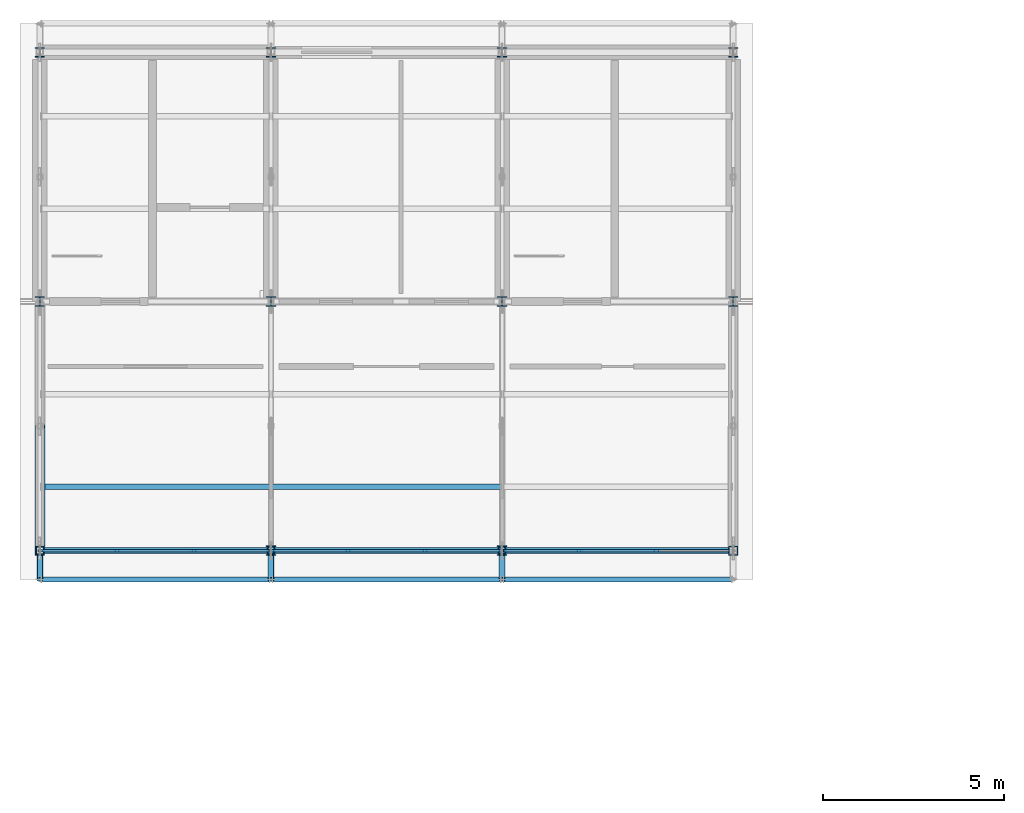
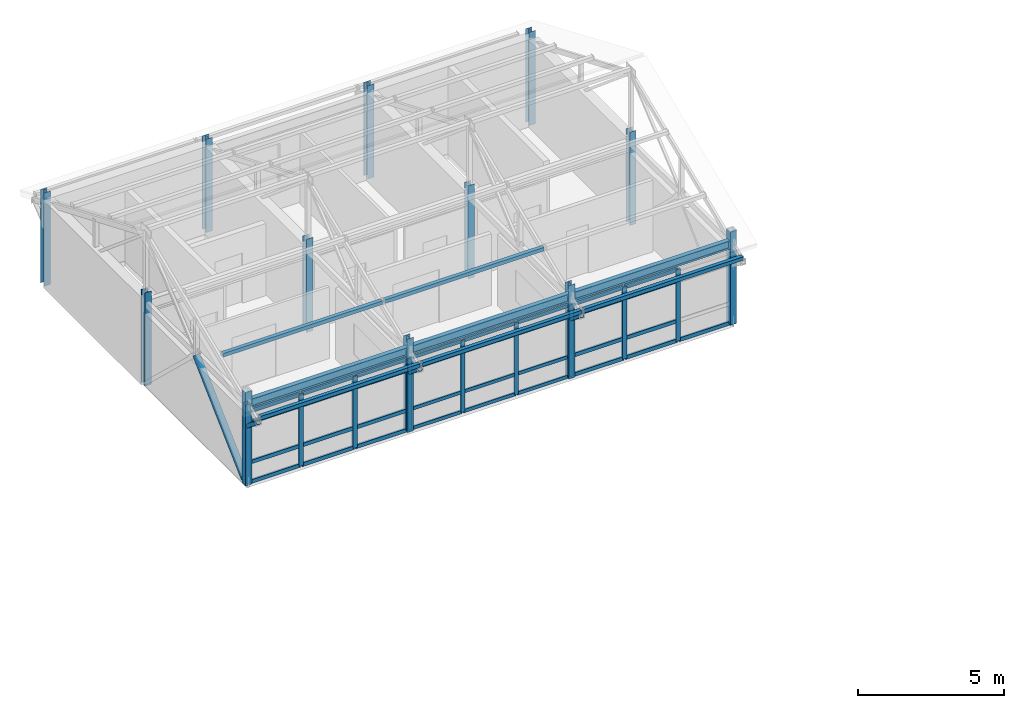
# One storey, part 1 of 11: 56 members, 12 columns, 3 beams, 3 elements without a shape of their own.
"""IFC4 building model written with IfcOpenShell, lengths in metres."""

from ifc_helpers import new_model, si_unit, direction, frame, origin, origin_2d, place, context, subcontext, project, spatial, rectangle, hollow_rectangle, hollow_circle, i_section, extrude, material, layer, layer_set, material_profile, profile_set, type_object, element, aggregate, save


model = new_model("IFC4")

# Units and contexts
model_context = context("Model", 3, precision=1e-05, world=origin(), true_north=direction((0.0, 1.0)))
body_context = subcontext(model_context, "Body", "Model", "MODEL_VIEW")
ifc_project = project(units=[si_unit("LENGTHUNIT", "METRE"), si_unit("AREAUNIT", "SQUARE_METRE"), si_unit("VOLUMEUNIT", "CUBIC_METRE"), si_unit("PLANEANGLEUNIT", "RADIAN"), si_unit("MASSUNIT", "GRAM", prefix="KILO")], contexts=[model_context])

# Site, building, storey
site_placement = place(None, origin())
site = spatial("IfcSite", under=ifc_project, at=site_placement, CompositionType="ELEMENT")
building_placement = place(site_placement, origin())
building = spatial("IfcBuilding", under=site, at=building_placement, Name="Trelmorton Wharf Fire Station", CompositionType="ELEMENT")
storey_placement = place(building_placement, frame((0.0, 0.0, 25.199951171875)))
storey = spatial("IfcBuildingStorey", under=building, at=storey_placement, Name="L06", CompositionType="ELEMENT", Elevation=25.199951171875)

# Columns
ifc_material_1 = material(Name="Steel Grade 350", Category="steel")
ifc_material_profile_1 = material_profile(ifc_material_1, i_section(OverallWidth=0.256103515625, OverallDepth=0.260009765625, WebThickness=0.010498046875, FlangeThickness=0.017333984375, FilletRadius=0.0126953125, at=origin_2d()), Name="250UC89.5")
ifc_profile_set_1 = profile_set([ifc_material_profile_1], Name="Steel Grade 350")
column_type_1 = type_object("IfcColumnType", Name="COL_250UC89", PredefinedType="COLUMN", material=ifc_profile_set_1)
for number, where, z_axis, x_axis, name in (
    (1, (70.800048828125, 67.199951171875, 0.0), (0.0, 0.0, 1.0), (1.0, 0.0, 0.0), "COL-L06-0795"),
    (2, (70.800048828125, 74.10009765625, 0.0), (0.0, 0.0, 1.0), (1.0, 0.0, 0.0), "COL-L06-0796"),
    (3, (77.199951171875, 60.300048828125, 0.0), (0.0, 0.0, 1.0), (1.0, 0.0, 0.0), "COL-L06-0797"),
    (4, (77.199951171875, 67.199951171875, 0.0), (0.0, 0.0, 1.0), (1.0, 0.0, 0.0), "COL-L06-0798"),
    (5, (77.199951171875, 74.10009765625, 0.0), (0.0, 0.0, 1.0), (1.0, 0.0, 0.0), "COL-L06-0799"),
    (6, (83.60009765625, 60.300048828125, 0.0), (0.0, 0.0, 1.0), (1.0, 0.0, 0.0), "COL-L06-0800"),
    (7, (83.60009765625, 67.199951171875, 0.0), (0.0, 0.0, 1.0), (1.0, 0.0, 0.0), "COL-L06-0801"),
    (8, (83.60009765625, 74.10009765625, 0.0), (0.0, 0.0, 1.0), (1.0, 0.0, 0.0), "COL-L06-0802"),
    (9, (90.0, 67.199951171875, 0.0), (0.0, 0.0, 1.0), (1.0, 0.0, 0.0), "COL-L06-0804"),
    (10, (90.0, 74.10009765625, 0.0), (0.0, 0.0, 1.0), (1.0, 0.0, 0.0), "COL-L06-0805"),
):
    element("IfcColumn", number, at=place(storey_placement, frame(where, z_axis=z_axis, x_axis=x_axis)), inside=storey, type_object=column_type_1, Name=name, PredefinedType="COLUMN", context=body_context, shape_type="SweptSolid", body=[
        extrude(i_section(OverallWidth=0.256103515625, OverallDepth=0.260009765625, WebThickness=0.010498046875, FlangeThickness=0.017333984375, FilletRadius=0.0126953125, at=origin_2d()), origin(), (0.0, 0.0, 1.0), 3.900146484375),
    ])
ifc_material_2 = material(Name="Signal-red architectural steel Grade 350", Category="steel")
ifc_material_profile_2 = material_profile(ifc_material_2, hollow_rectangle(XDim=0.25, YDim=0.25, WallThickness=0.012451171875, at=origin_2d()), Name="250x250x12.5SHS")
ifc_profile_set_2 = profile_set([ifc_material_profile_2], Name="Signal-red architectural steel Grade 350")
column_type_2 = type_object("IfcColumnType", Name="COL_RED_250SHS", PredefinedType="COLUMN", material=ifc_profile_set_2)
for number, where, z_axis, x_axis, name in (
    (11, (70.800048828125, 60.300048828125, 0.0), (0.0, 0.0, 1.0), (1.0, 0.0, 0.0), "COL-L06-0794"),
    (12, (90.0, 60.300048828125, 0.0), (0.0, 0.0, 1.0), (1.0, 0.0, 0.0), "COL-L06-0803"),
):
    element("IfcColumn", number, at=place(storey_placement, frame(where, z_axis=z_axis, x_axis=x_axis)), inside=storey, type_object=column_type_2, Name=name, PredefinedType="COLUMN", context=body_context, shape_type="SweptSolid", body=[
        extrude(hollow_rectangle(XDim=0.25, YDim=0.25, WallThickness=0.012451171875, at=origin_2d()), origin(), (0.0, 0.0, 1.0), 3.900146484375),
    ])

# Member
ifc_material_3 = material(Name="Steel C350L0 (350 MPa)", Category="steel")
ifc_material_profile_3 = material_profile(ifc_material_3, hollow_circle(Radius=0.136474609375, WallThickness=0.00927734375, at=origin_2d()), Name="273.1x9.3CHS")
ifc_profile_set_3 = profile_set([ifc_material_profile_3], Name="Steel C350L0 (350 MPa)")
member_type_1 = type_object("IfcMemberType", Name="BR_273CHS", PredefinedType="BRACE", material=ifc_profile_set_3)
member_1_placement = place(storey_placement, frame((70.800048828125, 60.422119140625, 0.1201171875), z_axis=(0.0, 0.725170756074, 0.688569077534), x_axis=(-1.0, 0.0, 0.0)))
element("IfcMember", 13, at=member_1_placement, inside=storey, type_object=member_type_1, Name="CBF-V2-W-L06-A", PredefinedType="BRACE", context=body_context, shape_type="SweptSolid", body=[
    extrude(hollow_circle(Radius=0.136474609375, WallThickness=0.00927734375, at=origin_2d()), origin(), (0.0, 0.0, 1.0), 4.589111328125),
])

# Curtain wall, members
ifc_material_4 = material(Name="Anodised aluminium AW-6063", Category="aluminium")
ifc_layer = layer(ifc_material_4, 0.159912109375)
ifc_layer_set = layer_set([ifc_layer], Name="Anodised aluminium AW-6063")
curtain_wall_type = type_object("IfcCurtainWallType", Name="CW_CHIC_A", PredefinedType="USERDEFINED", material=ifc_layer_set)
curtain_wall_1_placement = place(storey_placement, origin())
curtain_wall_1 = element("IfcCurtainWall", 14, at=curtain_wall_1_placement, inside=storey, type_object=curtain_wall_type, Name="CW-V2-L06-111", ObjectType="CHICAGO BAY CURTAIN WALL", PredefinedType="USERDEFINED")
ifc_material_profile_4 = material_profile(ifc_material_4, rectangle(XDim=0.06494140625, YDim=0.159912109375, at=origin_2d()), Name="ALU-65x160")
ifc_profile_set_4 = profile_set([ifc_material_profile_4], Name="Anodised aluminium AW-6063")
member_type_2 = type_object("IfcMemberType", Name="CWM_65x160", PredefinedType="MULLION", material=ifc_profile_set_4)
member_2_placement = place(storey_placement, frame((83.56494140625, 60.300048828125, 0.0), z_axis=(0.0, 0.0, 1.0), x_axis=(0.0, -1.0, 0.0)))
member_2 = element("IfcMember", 15, at=member_2_placement, type_object=member_type_2, Name="CW1 mullion 1", PredefinedType="MULLION", context=body_context, shape_type="SweptSolid", body=[
    extrude(rectangle(XDim=0.06494140625, YDim=0.159912109375, at=origin_2d()), origin(), (0.0, 0.0, 1.0), 3.02001953125),
])
member_3_placement = place(storey_placement, frame((81.465087890625, 60.300048828125, 0.0), z_axis=(0.0, 0.0, 1.0), x_axis=(0.0, -1.0, 0.0)))
member_3 = element("IfcMember", 16, at=member_3_placement, type_object=member_type_2, Name="CW1 mullion 2", PredefinedType="MULLION", context=body_context, shape_type="SweptSolid", body=[
    extrude(rectangle(XDim=0.06494140625, YDim=0.159912109375, at=origin_2d()), origin(), (0.0, 0.0, 1.0), 3.02001953125),
])
member_4_placement = place(storey_placement, frame((79.3349609375, 60.300048828125, 0.0), z_axis=(0.0, 0.0, 1.0), x_axis=(0.0, -1.0, 0.0)))
member_4 = element("IfcMember", 17, at=member_4_placement, type_object=member_type_2, Name="CW1 mullion 3", PredefinedType="MULLION", context=body_context, shape_type="SweptSolid", body=[
    extrude(rectangle(XDim=0.06494140625, YDim=0.159912109375, at=origin_2d()), origin(), (0.0, 0.0, 1.0), 3.02001953125),
])
member_5_placement = place(storey_placement, frame((77.235107421875, 60.300048828125, 0.0), z_axis=(0.0, 0.0, 1.0), x_axis=(0.0, -1.0, 0.0)))
member_5 = element("IfcMember", 18, at=member_5_placement, type_object=member_type_2, Name="CW1 mullion 4", PredefinedType="MULLION", context=body_context, shape_type="SweptSolid", body=[
    extrude(rectangle(XDim=0.06494140625, YDim=0.159912109375, at=origin_2d()), origin(), (0.0, 0.0, 1.0), 3.02001953125),
])

curtain_wall_2_placement = place(storey_placement, origin())
curtain_wall_2 = element("IfcCurtainWall", 19, at=curtain_wall_2_placement, inside=storey, type_object=curtain_wall_type, Name="CW-V2-L06-110", ObjectType="CHICAGO BAY CURTAIN WALL", PredefinedType="USERDEFINED")
ifc_material_profile_5 = material_profile(ifc_material_4, rectangle(XDim=0.074951171875, YDim=0.175048828125, at=origin_2d()), Name="ALU-75x175")
ifc_profile_set_5 = profile_set([ifc_material_profile_5], Name="Anodised aluminium AW-6063")
member_type_3 = type_object("IfcMemberType", Name="CWM_75x175", PredefinedType="MULLION", material=ifc_profile_set_5)
member_6_placement = place(storey_placement, frame((77.1650390625, 60.300048828125, 0.0), z_axis=(0.0, 0.0, 1.0), x_axis=(0.0, -1.0, 0.0)))
member_6 = element("IfcMember", 20, at=member_6_placement, type_object=member_type_3, Name="CW1 mullion 1", PredefinedType="MULLION", context=body_context, shape_type="SweptSolid", body=[
    extrude(rectangle(XDim=0.074951171875, YDim=0.175048828125, at=origin_2d()), origin(), (0.0, 0.0, 1.0), 3.02001953125),
])
member_7_placement = place(storey_placement, frame((75.06494140625, 60.300048828125, 0.0), z_axis=(0.0, 0.0, 1.0), x_axis=(0.0, -1.0, 0.0)))
member_7 = element("IfcMember", 21, at=member_7_placement, type_object=member_type_3, Name="CW1 mullion 2", PredefinedType="MULLION", context=body_context, shape_type="SweptSolid", body=[
    extrude(rectangle(XDim=0.074951171875, YDim=0.175048828125, at=origin_2d()), origin(), (0.0, 0.0, 1.0), 3.02001953125),
])
member_8_placement = place(storey_placement, frame((72.93505859375, 60.300048828125, 0.0), z_axis=(0.0, 0.0, 1.0), x_axis=(0.0, -1.0, 0.0)))
member_8 = element("IfcMember", 22, at=member_8_placement, type_object=member_type_3, Name="CW1 mullion 3", PredefinedType="MULLION", context=body_context, shape_type="SweptSolid", body=[
    extrude(rectangle(XDim=0.074951171875, YDim=0.175048828125, at=origin_2d()), origin(), (0.0, 0.0, 1.0), 3.02001953125),
])
member_9_placement = place(storey_placement, frame((70.8349609375, 60.300048828125, 0.0), z_axis=(0.0, 0.0, 1.0), x_axis=(0.0, -1.0, 0.0)))
member_9 = element("IfcMember", 23, at=member_9_placement, type_object=member_type_3, Name="CW1 mullion 4", PredefinedType="MULLION", context=body_context, shape_type="SweptSolid", body=[
    extrude(rectangle(XDim=0.074951171875, YDim=0.175048828125, at=origin_2d()), origin(), (0.0, 0.0, 1.0), 3.02001953125),
])

curtain_wall_3_placement = place(storey_placement, origin())
curtain_wall_3 = element("IfcCurtainWall", 24, at=curtain_wall_3_placement, inside=storey, type_object=curtain_wall_type, Name="CW-V2-L06-112", ObjectType="CHICAGO BAY CURTAIN WALL", PredefinedType="USERDEFINED")
member_10_placement = place(storey_placement, frame((87.864990234375, 60.300048828125, 0.0), z_axis=(0.0, 0.0, 1.0), x_axis=(0.0, -1.0, 0.0)))
member_10 = element("IfcMember", 25, at=member_10_placement, type_object=member_type_3, Name="CW1 mullion 2", PredefinedType="MULLION", context=body_context, shape_type="SweptSolid", body=[
    extrude(rectangle(XDim=0.074951171875, YDim=0.175048828125, at=origin_2d()), origin(), (0.0, 0.0, 1.0), 3.02001953125),
])
member_11_placement = place(storey_placement, frame((85.735107421875, 60.300048828125, 0.0), z_axis=(0.0, 0.0, 1.0), x_axis=(0.0, -1.0, 0.0)))
member_11 = element("IfcMember", 26, at=member_11_placement, type_object=member_type_3, Name="CW1 mullion 3", PredefinedType="MULLION", context=body_context, shape_type="SweptSolid", body=[
    extrude(rectangle(XDim=0.074951171875, YDim=0.175048828125, at=origin_2d()), origin(), (0.0, 0.0, 1.0), 3.02001953125),
])
member_12_placement = place(storey_placement, frame((83.635009765625, 60.300048828125, 0.0), z_axis=(0.0, 0.0, 1.0), x_axis=(0.0, -1.0, 0.0)))
member_12 = element("IfcMember", 27, at=member_12_placement, type_object=member_type_3, Name="CW1 mullion 4", PredefinedType="MULLION", context=body_context, shape_type="SweptSolid", body=[
    extrude(rectangle(XDim=0.074951171875, YDim=0.175048828125, at=origin_2d()), origin(), (0.0, 0.0, 1.0), 3.02001953125),
])

# Member
ifc_material_profile_6 = material_profile(ifc_material_4, rectangle(XDim=0.06494140625, YDim=0.139892578125, at=origin_2d()), Name="ALU-65x140")
ifc_profile_set_6 = profile_set([ifc_material_profile_6], Name="Anodised aluminium AW-6063")
member_type_4 = type_object("IfcMemberType", Name="CWT_65x140", PredefinedType="USERDEFINED", material=ifc_profile_set_6)
member_13_placement = place(storey_placement, frame((83.534912109375, 60.300048828125, 0.030029296875), z_axis=(-1.0, 0.0, 0.0), x_axis=(0.0, -1.0, 0.0)))
member_13 = element("IfcMember", 28, at=member_13_placement, type_object=member_type_4, Name="CW1 transom 1.1", ObjectType="TRANSOM", PredefinedType="USERDEFINED", context=body_context, shape_type="SweptSolid", body=[
    extrude(rectangle(XDim=0.06494140625, YDim=0.139892578125, at=origin_2d()), origin(), (0.0, 0.0, 1.0), 2.039794921875),
])

member_14_placement = place(storey_placement, frame((83.534912109375, 60.300048828125, 0.85009765625), z_axis=(-1.0, 0.0, 0.0), x_axis=(0.0, -1.0, 0.0)))
member_14 = element("IfcMember", 29, at=member_14_placement, type_object=member_type_4, Name="CW1 transom 1.2", ObjectType="TRANSOM", PredefinedType="USERDEFINED", context=body_context, shape_type="SweptSolid", body=[
    extrude(rectangle(XDim=0.06494140625, YDim=0.139892578125, at=origin_2d()), origin(), (0.0, 0.0, 1.0), 2.039794921875),
])

member_15_placement = place(storey_placement, frame((83.534912109375, 60.300048828125, 2.52001953125), z_axis=(-1.0, 0.0, 0.0), x_axis=(0.0, -1.0, 0.0)))
member_15 = element("IfcMember", 30, at=member_15_placement, type_object=member_type_4, Name="CW1 transom 1.3", ObjectType="TRANSOM", PredefinedType="USERDEFINED", context=body_context, shape_type="SweptSolid", body=[
    extrude(rectangle(XDim=0.06494140625, YDim=0.139892578125, at=origin_2d()), origin(), (0.0, 0.0, 1.0), 2.039794921875),
])

member_16_placement = place(storey_placement, frame((83.534912109375, 60.300048828125, 2.989990234375), z_axis=(-1.0, 0.0, 0.0), x_axis=(0.0, -1.0, 0.0)))
member_16 = element("IfcMember", 31, at=member_16_placement, type_object=member_type_4, Name="CW1 transom 1.4", ObjectType="TRANSOM", PredefinedType="USERDEFINED", context=body_context, shape_type="SweptSolid", body=[
    extrude(rectangle(XDim=0.06494140625, YDim=0.139892578125, at=origin_2d()), origin(), (0.0, 0.0, 1.0), 2.039794921875),
])

member_17_placement = place(storey_placement, frame((81.43505859375, 60.300048828125, 0.030029296875), z_axis=(-1.0, 0.0, 0.0), x_axis=(0.0, -1.0, 0.0)))
member_17 = element("IfcMember", 32, at=member_17_placement, type_object=member_type_4, Name="CW1 transom 2.1", ObjectType="TRANSOM", PredefinedType="USERDEFINED", context=body_context, shape_type="SweptSolid", body=[
    extrude(rectangle(XDim=0.06494140625, YDim=0.139892578125, at=origin_2d()), origin(), (0.0, 0.0, 1.0), 2.070068359375),
])

member_18_placement = place(storey_placement, frame((81.43505859375, 60.300048828125, 0.85009765625), z_axis=(-1.0, 0.0, 0.0), x_axis=(0.0, -1.0, 0.0)))
member_18 = element("IfcMember", 33, at=member_18_placement, type_object=member_type_4, Name="CW1 transom 2.2", ObjectType="TRANSOM", PredefinedType="USERDEFINED", context=body_context, shape_type="SweptSolid", body=[
    extrude(rectangle(XDim=0.06494140625, YDim=0.139892578125, at=origin_2d()), origin(), (0.0, 0.0, 1.0), 2.070068359375),
])

member_19_placement = place(storey_placement, frame((81.43505859375, 60.300048828125, 2.52001953125), z_axis=(-1.0, 0.0, 0.0), x_axis=(0.0, -1.0, 0.0)))
member_19 = element("IfcMember", 34, at=member_19_placement, type_object=member_type_4, Name="CW1 transom 2.3", ObjectType="TRANSOM", PredefinedType="USERDEFINED", context=body_context, shape_type="SweptSolid", body=[
    extrude(rectangle(XDim=0.06494140625, YDim=0.139892578125, at=origin_2d()), origin(), (0.0, 0.0, 1.0), 2.070068359375),
])

member_20_placement = place(storey_placement, frame((81.43505859375, 60.300048828125, 2.989990234375), z_axis=(-1.0, 0.0, 0.0), x_axis=(0.0, -1.0, 0.0)))
member_20 = element("IfcMember", 35, at=member_20_placement, type_object=member_type_4, Name="CW1 transom 2.4", ObjectType="TRANSOM", PredefinedType="USERDEFINED", context=body_context, shape_type="SweptSolid", body=[
    extrude(rectangle(XDim=0.06494140625, YDim=0.139892578125, at=origin_2d()), origin(), (0.0, 0.0, 1.0), 2.070068359375),
])

member_21_placement = place(storey_placement, frame((79.304931640625, 60.300048828125, 0.030029296875), z_axis=(-1.0, 0.0, 0.0), x_axis=(0.0, -1.0, 0.0)))
member_21 = element("IfcMember", 36, at=member_21_placement, type_object=member_type_4, Name="CW1 transom 3.1", ObjectType="TRANSOM", PredefinedType="USERDEFINED", context=body_context, shape_type="SweptSolid", body=[
    extrude(rectangle(XDim=0.06494140625, YDim=0.139892578125, at=origin_2d()), origin(), (0.0, 0.0, 1.0), 2.0400390625),
])

member_22_placement = place(storey_placement, frame((79.304931640625, 60.300048828125, 0.85009765625), z_axis=(-1.0, 0.0, 0.0), x_axis=(0.0, -1.0, 0.0)))
member_22 = element("IfcMember", 37, at=member_22_placement, type_object=member_type_4, Name="CW1 transom 3.2", ObjectType="TRANSOM", PredefinedType="USERDEFINED", context=body_context, shape_type="SweptSolid", body=[
    extrude(rectangle(XDim=0.06494140625, YDim=0.139892578125, at=origin_2d()), origin(), (0.0, 0.0, 1.0), 2.0400390625),
])

member_23_placement = place(storey_placement, frame((79.304931640625, 60.300048828125, 2.52001953125), z_axis=(-1.0, 0.0, 0.0), x_axis=(0.0, -1.0, 0.0)))
member_23 = element("IfcMember", 38, at=member_23_placement, type_object=member_type_4, Name="CW1 transom 3.3", ObjectType="TRANSOM", PredefinedType="USERDEFINED", context=body_context, shape_type="SweptSolid", body=[
    extrude(rectangle(XDim=0.06494140625, YDim=0.139892578125, at=origin_2d()), origin(), (0.0, 0.0, 1.0), 2.0400390625),
])

member_24_placement = place(storey_placement, frame((79.304931640625, 60.300048828125, 2.989990234375), z_axis=(-1.0, 0.0, 0.0), x_axis=(0.0, -1.0, 0.0)))
member_24 = element("IfcMember", 39, at=member_24_placement, type_object=member_type_4, Name="CW1 transom 3.4", ObjectType="TRANSOM", PredefinedType="USERDEFINED", context=body_context, shape_type="SweptSolid", body=[
    extrude(rectangle(XDim=0.06494140625, YDim=0.139892578125, at=origin_2d()), origin(), (0.0, 0.0, 1.0), 2.0400390625),
])

aggregate(curtain_wall_1, [member_2, member_3, member_4, member_5, member_13, member_14, member_15, member_16, member_17, member_18, member_19, member_20, member_21, member_22, member_23, member_24])

ifc_material_profile_7 = material_profile(ifc_material_4, rectangle(XDim=0.074951171875, YDim=0.155029296875, at=origin_2d()), Name="ALU-75x155")
ifc_profile_set_7 = profile_set([ifc_material_profile_7], Name="Anodised aluminium AW-6063")
member_type_5 = type_object("IfcMemberType", Name="CWT_75x155", PredefinedType="USERDEFINED", material=ifc_profile_set_7)
member_25_placement = place(storey_placement, frame((77.135009765625, 60.300048828125, 0.030029296875), z_axis=(-1.0, 0.0, 0.0), x_axis=(0.0, -1.0, 0.0)))
member_25 = element("IfcMember", 40, at=member_25_placement, type_object=member_type_5, Name="CW1 transom 1.1", ObjectType="TRANSOM", PredefinedType="USERDEFINED", context=body_context, shape_type="SweptSolid", body=[
    extrude(rectangle(XDim=0.074951171875, YDim=0.155029296875, at=origin_2d()), origin(), (0.0, 0.0, 1.0), 2.0400390625),
])

member_26_placement = place(storey_placement, frame((77.135009765625, 60.300048828125, 0.85009765625), z_axis=(-1.0, 0.0, 0.0), x_axis=(0.0, -1.0, 0.0)))
member_26 = element("IfcMember", 41, at=member_26_placement, type_object=member_type_5, Name="CW1 transom 1.2", ObjectType="TRANSOM", PredefinedType="USERDEFINED", context=body_context, shape_type="SweptSolid", body=[
    extrude(rectangle(XDim=0.074951171875, YDim=0.155029296875, at=origin_2d()), origin(), (0.0, 0.0, 1.0), 2.0400390625),
])

member_27_placement = place(storey_placement, frame((77.135009765625, 60.300048828125, 2.52001953125), z_axis=(-1.0, 0.0, 0.0), x_axis=(0.0, -1.0, 0.0)))
member_27 = element("IfcMember", 42, at=member_27_placement, type_object=member_type_5, Name="CW1 transom 1.3", ObjectType="TRANSOM", PredefinedType="USERDEFINED", context=body_context, shape_type="SweptSolid", body=[
    extrude(rectangle(XDim=0.074951171875, YDim=0.155029296875, at=origin_2d()), origin(), (0.0, 0.0, 1.0), 2.0400390625),
])

member_28_placement = place(storey_placement, frame((77.135009765625, 60.300048828125, 2.989990234375), z_axis=(-1.0, 0.0, 0.0), x_axis=(0.0, -1.0, 0.0)))
member_28 = element("IfcMember", 43, at=member_28_placement, type_object=member_type_5, Name="CW1 transom 1.4", ObjectType="TRANSOM", PredefinedType="USERDEFINED", context=body_context, shape_type="SweptSolid", body=[
    extrude(rectangle(XDim=0.074951171875, YDim=0.155029296875, at=origin_2d()), origin(), (0.0, 0.0, 1.0), 2.0400390625),
])

member_29_placement = place(storey_placement, frame((75.034912109375, 60.300048828125, 0.030029296875), z_axis=(-1.0, 0.0, 0.0), x_axis=(0.0, -1.0, 0.0)))
member_29 = element("IfcMember", 44, at=member_29_placement, type_object=member_type_5, Name="CW1 transom 2.1", ObjectType="TRANSOM", PredefinedType="USERDEFINED", context=body_context, shape_type="SweptSolid", body=[
    extrude(rectangle(XDim=0.074951171875, YDim=0.155029296875, at=origin_2d()), origin(), (0.0, 0.0, 1.0), 2.06982421875),
])

member_30_placement = place(storey_placement, frame((75.034912109375, 60.300048828125, 0.85009765625), z_axis=(-1.0, 0.0, 0.0), x_axis=(0.0, -1.0, 0.0)))
member_30 = element("IfcMember", 45, at=member_30_placement, type_object=member_type_5, Name="CW1 transom 2.2", ObjectType="TRANSOM", PredefinedType="USERDEFINED", context=body_context, shape_type="SweptSolid", body=[
    extrude(rectangle(XDim=0.074951171875, YDim=0.155029296875, at=origin_2d()), origin(), (0.0, 0.0, 1.0), 2.06982421875),
])

member_31_placement = place(storey_placement, frame((75.034912109375, 60.300048828125, 2.52001953125), z_axis=(-1.0, 0.0, 0.0), x_axis=(0.0, -1.0, 0.0)))
member_31 = element("IfcMember", 46, at=member_31_placement, type_object=member_type_5, Name="CW1 transom 2.3", ObjectType="TRANSOM", PredefinedType="USERDEFINED", context=body_context, shape_type="SweptSolid", body=[
    extrude(rectangle(XDim=0.074951171875, YDim=0.155029296875, at=origin_2d()), origin(), (0.0, 0.0, 1.0), 2.06982421875),
])

member_32_placement = place(storey_placement, frame((75.034912109375, 60.300048828125, 2.989990234375), z_axis=(-1.0, 0.0, 0.0), x_axis=(0.0, -1.0, 0.0)))
member_32 = element("IfcMember", 47, at=member_32_placement, type_object=member_type_5, Name="CW1 transom 2.4", ObjectType="TRANSOM", PredefinedType="USERDEFINED", context=body_context, shape_type="SweptSolid", body=[
    extrude(rectangle(XDim=0.074951171875, YDim=0.155029296875, at=origin_2d()), origin(), (0.0, 0.0, 1.0), 2.06982421875),
])

member_33_placement = place(storey_placement, frame((72.905029296875, 60.300048828125, 0.030029296875), z_axis=(-1.0, 0.0, 0.0), x_axis=(0.0, -1.0, 0.0)))
member_33 = element("IfcMember", 48, at=member_33_placement, type_object=member_type_5, Name="CW1 transom 3.1", ObjectType="TRANSOM", PredefinedType="USERDEFINED", context=body_context, shape_type="SweptSolid", body=[
    extrude(rectangle(XDim=0.074951171875, YDim=0.155029296875, at=origin_2d()), origin(), (0.0, 0.0, 1.0), 2.0400390625),
])

member_34_placement = place(storey_placement, frame((72.905029296875, 60.300048828125, 0.85009765625), z_axis=(-1.0, 0.0, 0.0), x_axis=(0.0, -1.0, 0.0)))
member_34 = element("IfcMember", 49, at=member_34_placement, type_object=member_type_5, Name="CW1 transom 3.2", ObjectType="TRANSOM", PredefinedType="USERDEFINED", context=body_context, shape_type="SweptSolid", body=[
    extrude(rectangle(XDim=0.074951171875, YDim=0.155029296875, at=origin_2d()), origin(), (0.0, 0.0, 1.0), 2.0400390625),
])

member_35_placement = place(storey_placement, frame((72.905029296875, 60.300048828125, 2.52001953125), z_axis=(-1.0, 0.0, 0.0), x_axis=(0.0, -1.0, 0.0)))
member_35 = element("IfcMember", 50, at=member_35_placement, type_object=member_type_5, Name="CW1 transom 3.3", ObjectType="TRANSOM", PredefinedType="USERDEFINED", context=body_context, shape_type="SweptSolid", body=[
    extrude(rectangle(XDim=0.074951171875, YDim=0.155029296875, at=origin_2d()), origin(), (0.0, 0.0, 1.0), 2.0400390625),
])

member_36_placement = place(storey_placement, frame((72.905029296875, 60.300048828125, 2.989990234375), z_axis=(-1.0, 0.0, 0.0), x_axis=(0.0, -1.0, 0.0)))
member_36 = element("IfcMember", 51, at=member_36_placement, type_object=member_type_5, Name="CW1 transom 3.4", ObjectType="TRANSOM", PredefinedType="USERDEFINED", context=body_context, shape_type="SweptSolid", body=[
    extrude(rectangle(XDim=0.074951171875, YDim=0.155029296875, at=origin_2d()), origin(), (0.0, 0.0, 1.0), 2.0400390625),
])

aggregate(curtain_wall_2, [member_6, member_7, member_8, member_9, member_25, member_26, member_27, member_28, member_29, member_30, member_31, member_32, member_33, member_34, member_35, member_36])

member_37_placement = place(storey_placement, frame((89.93505859375, 60.300048828125, 0.030029296875), z_axis=(-1.0, 0.0, 0.0), x_axis=(0.0, -1.0, 0.0)))
member_37 = element("IfcMember", 52, at=member_37_placement, type_object=member_type_5, Name="CW1 transom 1.1", ObjectType="TRANSOM", PredefinedType="USERDEFINED", context=body_context, shape_type="SweptSolid", body=[
    extrude(rectangle(XDim=0.074951171875, YDim=0.155029296875, at=origin_2d()), origin(), (0.0, 0.0, 1.0), 2.0400390625),
])

member_38_placement = place(storey_placement, frame((87.8349609375, 60.300048828125, 0.030029296875), z_axis=(-1.0, 0.0, 0.0), x_axis=(0.0, -1.0, 0.0)))
member_38 = element("IfcMember", 53, at=member_38_placement, type_object=member_type_5, Name="CW1 transom 2.1", ObjectType="TRANSOM", PredefinedType="USERDEFINED", context=body_context, shape_type="SweptSolid", body=[
    extrude(rectangle(XDim=0.074951171875, YDim=0.155029296875, at=origin_2d()), origin(), (0.0, 0.0, 1.0), 2.070068359375),
])

member_39_placement = place(storey_placement, frame((87.8349609375, 60.300048828125, 0.85009765625), z_axis=(-1.0, 0.0, 0.0), x_axis=(0.0, -1.0, 0.0)))
member_39 = element("IfcMember", 54, at=member_39_placement, type_object=member_type_5, Name="CW1 transom 2.2", ObjectType="TRANSOM", PredefinedType="USERDEFINED", context=body_context, shape_type="SweptSolid", body=[
    extrude(rectangle(XDim=0.074951171875, YDim=0.155029296875, at=origin_2d()), origin(), (0.0, 0.0, 1.0), 2.070068359375),
])

member_40_placement = place(storey_placement, frame((87.8349609375, 60.300048828125, 2.52001953125), z_axis=(-1.0, 0.0, 0.0), x_axis=(0.0, -1.0, 0.0)))
member_40 = element("IfcMember", 55, at=member_40_placement, type_object=member_type_5, Name="CW1 transom 2.3", ObjectType="TRANSOM", PredefinedType="USERDEFINED", context=body_context, shape_type="SweptSolid", body=[
    extrude(rectangle(XDim=0.074951171875, YDim=0.155029296875, at=origin_2d()), origin(), (0.0, 0.0, 1.0), 2.070068359375),
])

member_41_placement = place(storey_placement, frame((87.8349609375, 60.300048828125, 2.989990234375), z_axis=(-1.0, 0.0, 0.0), x_axis=(0.0, -1.0, 0.0)))
member_41 = element("IfcMember", 56, at=member_41_placement, type_object=member_type_5, Name="CW1 transom 2.4", ObjectType="TRANSOM", PredefinedType="USERDEFINED", context=body_context, shape_type="SweptSolid", body=[
    extrude(rectangle(XDim=0.074951171875, YDim=0.155029296875, at=origin_2d()), origin(), (0.0, 0.0, 1.0), 2.070068359375),
])

member_42_placement = place(storey_placement, frame((85.705078125, 60.300048828125, 0.030029296875), z_axis=(-1.0, 0.0, 0.0), x_axis=(0.0, -1.0, 0.0)))
member_42 = element("IfcMember", 57, at=member_42_placement, type_object=member_type_5, Name="CW1 transom 3.1", ObjectType="TRANSOM", PredefinedType="USERDEFINED", context=body_context, shape_type="SweptSolid", body=[
    extrude(rectangle(XDim=0.074951171875, YDim=0.155029296875, at=origin_2d()), origin(), (0.0, 0.0, 1.0), 2.0400390625),
])

member_43_placement = place(storey_placement, frame((85.705078125, 60.300048828125, 0.85009765625), z_axis=(-1.0, 0.0, 0.0), x_axis=(0.0, -1.0, 0.0)))
member_43 = element("IfcMember", 58, at=member_43_placement, type_object=member_type_5, Name="CW1 transom 3.2", ObjectType="TRANSOM", PredefinedType="USERDEFINED", context=body_context, shape_type="SweptSolid", body=[
    extrude(rectangle(XDim=0.074951171875, YDim=0.155029296875, at=origin_2d()), origin(), (0.0, 0.0, 1.0), 2.0400390625),
])

member_44_placement = place(storey_placement, frame((85.705078125, 60.300048828125, 2.52001953125), z_axis=(-1.0, 0.0, 0.0), x_axis=(0.0, -1.0, 0.0)))
member_44 = element("IfcMember", 59, at=member_44_placement, type_object=member_type_5, Name="CW1 transom 3.3", ObjectType="TRANSOM", PredefinedType="USERDEFINED", context=body_context, shape_type="SweptSolid", body=[
    extrude(rectangle(XDim=0.074951171875, YDim=0.155029296875, at=origin_2d()), origin(), (0.0, 0.0, 1.0), 2.0400390625),
])

member_45_placement = place(storey_placement, frame((85.705078125, 60.300048828125, 2.989990234375), z_axis=(-1.0, 0.0, 0.0), x_axis=(0.0, -1.0, 0.0)))
member_45 = element("IfcMember", 60, at=member_45_placement, type_object=member_type_5, Name="CW1 transom 3.4", ObjectType="TRANSOM", PredefinedType="USERDEFINED", context=body_context, shape_type="SweptSolid", body=[
    extrude(rectangle(XDim=0.074951171875, YDim=0.155029296875, at=origin_2d()), origin(), (0.0, 0.0, 1.0), 2.0400390625),
])

aggregate(curtain_wall_3, [member_10, member_11, member_12, member_37, member_38, member_39, member_40, member_41, member_42, member_43, member_44, member_45])

# Members
ifc_material_profile_8 = material_profile(ifc_material_3, hollow_rectangle(XDim=0.14990234375, YDim=0.14990234375, WallThickness=0.009033203125, at=origin_2d()), Name="150x150x9.0SHS")
ifc_profile_set_8 = profile_set([ifc_material_profile_8], Name="Steel C350L0 (350 MPa)")
member_type_6 = type_object("IfcMemberType", Name="PR_150SHS", PredefinedType="PURLIN", material=ifc_profile_set_8)
for number, where, z_axis, x_axis, name in (
    (61, (70.846923828125, 59.5, 3.23046875), (1.0, 0.0, 0.0), (0.0, 1.0, 0.0), "V2-PR-B01-S0"),
    (62, (70.846923828125, 62.066650390625, 4.309326171875), (1.0, 0.0, 0.0), (0.0, 1.0, 0.0), "V2-PR-B01-S1"),
):
    element("IfcMember", number, at=place(storey_placement, frame(where, z_axis=z_axis, x_axis=x_axis)), inside=storey, type_object=member_type_6, Name=name, PredefinedType="PURLIN", context=body_context, shape_type="SweptSolid", body=[
        extrude(hollow_rectangle(XDim=0.14990234375, YDim=0.14990234375, WallThickness=0.009033203125, at=origin_2d()), origin(), (0.0, 0.0, 1.0), 6.30615234375),
    ])
for number, where, z_axis, x_axis, name in (
    (63, (77.2470703125, 59.5, 3.23046875), (1.0, 0.0, 0.0), (0.0, 1.0, 0.0), "V2-PR-B02-S0"),
    (64, (77.2470703125, 62.066650390625, 4.309326171875), (1.0, 0.0, 0.0), (0.0, 1.0, 0.0), "V2-PR-B02-S1"),
    (65, (83.64697265625, 59.5, 3.23046875), (1.0, 0.0, 0.0), (0.0, 1.0, 0.0), "V2-PR-B03-S0"),
):
    element("IfcMember", number, at=place(storey_placement, frame(where, z_axis=z_axis, x_axis=x_axis)), inside=storey, type_object=member_type_6, Name=name, PredefinedType="PURLIN", context=body_context, shape_type="SweptSolid", body=[
        extrude(hollow_rectangle(XDim=0.14990234375, YDim=0.14990234375, WallThickness=0.009033203125, at=origin_2d()), origin(), (0.0, 0.0, 1.0), 6.305908203125),
    ])

# Beams
ifc_material_profile_9 = material_profile(ifc_material_1, i_section(OverallWidth=0.1708984375, OverallDepth=0.35595703125, WebThickness=0.00732421875, FlangeThickness=0.011474609375, FilletRadius=0.011474609375, at=origin_2d()), Name="360UB50.7")
ifc_profile_set_9 = profile_set([ifc_material_profile_9], Name="Steel Grade 350")
beam_type = type_object("IfcBeamType", Name="SP_360UB51", PredefinedType="SPANDREL", material=ifc_profile_set_9)
beam_1_placement = place(storey_placement, frame((70.9208984375, 60.300048828125, 3.342041015625), z_axis=(1.0, 0.0, 0.0), x_axis=(0.0, 1.0, 0.0)))
element("IfcBeam", 66, at=beam_1_placement, inside=storey, type_object=beam_type, Name="BM-L06-1193", PredefinedType="SPANDREL", context=body_context, shape_type="SweptSolid", body=[
    extrude(i_section(OverallWidth=0.1708984375, OverallDepth=0.35595703125, WebThickness=0.00732421875, FlangeThickness=0.011474609375, FilletRadius=0.011474609375, at=origin_2d()), origin(), (0.0, 0.0, 1.0), 6.275146484375),
])
beam_2_placement = place(storey_placement, frame((77.2041015625, 60.300048828125, 3.342041015625), z_axis=(1.0, 0.0, 0.0), x_axis=(0.0, 1.0, 0.0)))
element("IfcBeam", 67, at=beam_2_placement, inside=storey, type_object=beam_type, Name="BM-L06-1194", PredefinedType="SPANDREL", context=body_context, shape_type="SweptSolid", body=[
    extrude(i_section(OverallWidth=0.1708984375, OverallDepth=0.35595703125, WebThickness=0.00732421875, FlangeThickness=0.011474609375, FilletRadius=0.011474609375, at=origin_2d()), origin(), (0.0, 0.0, 1.0), 6.391845703125),
])
beam_3_placement = place(storey_placement, frame((83.60400390625, 60.300048828125, 3.342041015625), z_axis=(1.0, 0.0, 0.0), x_axis=(0.0, 1.0, 0.0)))
element("IfcBeam", 68, at=beam_3_placement, inside=storey, type_object=beam_type, Name="BM-L06-1195", PredefinedType="SPANDREL", context=body_context, shape_type="SweptSolid", body=[
    extrude(i_section(OverallWidth=0.1708984375, OverallDepth=0.35595703125, WebThickness=0.00732421875, FlangeThickness=0.011474609375, FilletRadius=0.011474609375, at=origin_2d()), origin(), (0.0, 0.0, 1.0), 6.27490234375),
])

# Members
ifc_material_profile_10 = material_profile(ifc_material_3, hollow_circle(Radius=0.084228515625, WallThickness=0.007080078125, at=origin_2d()), Name="168.3x7.1CHS")
ifc_profile_set_10 = profile_set([ifc_material_profile_10], Name="Steel C350L0 (350 MPa)")
member_type_7 = type_object("IfcMemberType", Name="TR_DIAG_168CHS", PredefinedType="STRUT", material=ifc_profile_set_10)
for number, where, z_axis, x_axis, name in (
    (69, (70.800048828125, 60.300048828125, 2.400146484375), (0.0, -0.785361030644, 0.619038004929), (1.0, 0.0, 0.0), "V2-TR01-EAV-S"),
    (70, (77.199951171875, 60.300048828125, 2.400146484375), (0.0, -0.785361030644, 0.619038004929), (1.0, 0.0, 0.0), "V2-TR02-EAV-S"),
    (71, (83.60009765625, 60.300048828125, 2.400146484375), (0.0, -0.785361030644, 0.619038004929), (1.0, 0.0, 0.0), "V2-TR03-EAV-S"),
):
    element("IfcMember", number, at=place(storey_placement, frame(where, z_axis=z_axis, x_axis=x_axis)), inside=storey, type_object=member_type_7, Name=name, PredefinedType="STRUT", context=body_context, shape_type="SweptSolid", body=[
        extrude(hollow_circle(Radius=0.084228515625, WallThickness=0.007080078125, at=origin_2d()), origin(), (0.0, 0.0, 1.0), 1.018798828125),
    ])
ifc_material_profile_11 = material_profile(ifc_material_3, hollow_rectangle(XDim=0.199951171875, YDim=0.199951171875, WallThickness=0.010009765625, at=origin_2d()), Name="200x200x10.0SHS")
ifc_profile_set_11 = profile_set([ifc_material_profile_11], Name="Steel C350L0 (350 MPa)")
member_type_8 = type_object("IfcMemberType", Name="TR_POST_200SHS", PredefinedType="POST", material=ifc_profile_set_11)
for number, where, z_axis, x_axis, name in (
    (72, (70.800048828125, 60.300048828125, 2.35009765625), (0.0, 0.0, 1.0), (1.0, 0.0, 0.0), "V2-TR01-SHS"),
    (73, (77.199951171875, 60.300048828125, 2.35009765625), (0.0, 0.0, 1.0), (1.0, 0.0, 0.0), "V2-TR02-SHS"),
    (74, (83.60009765625, 60.300048828125, 2.35009765625), (0.0, 0.0, 1.0), (1.0, 0.0, 0.0), "V2-TR03-SHS"),
):
    element("IfcMember", number, at=place(storey_placement, frame(where, z_axis=z_axis, x_axis=x_axis)), inside=storey, type_object=member_type_8, Name=name, PredefinedType="POST", context=body_context, shape_type="SweptSolid", body=[
        extrude(hollow_rectangle(XDim=0.199951171875, YDim=0.199951171875, WallThickness=0.010009765625, at=origin_2d()), origin(), (0.0, 0.0, 1.0), 1.016845703125),
    ])

save(model, "model.ifc")
